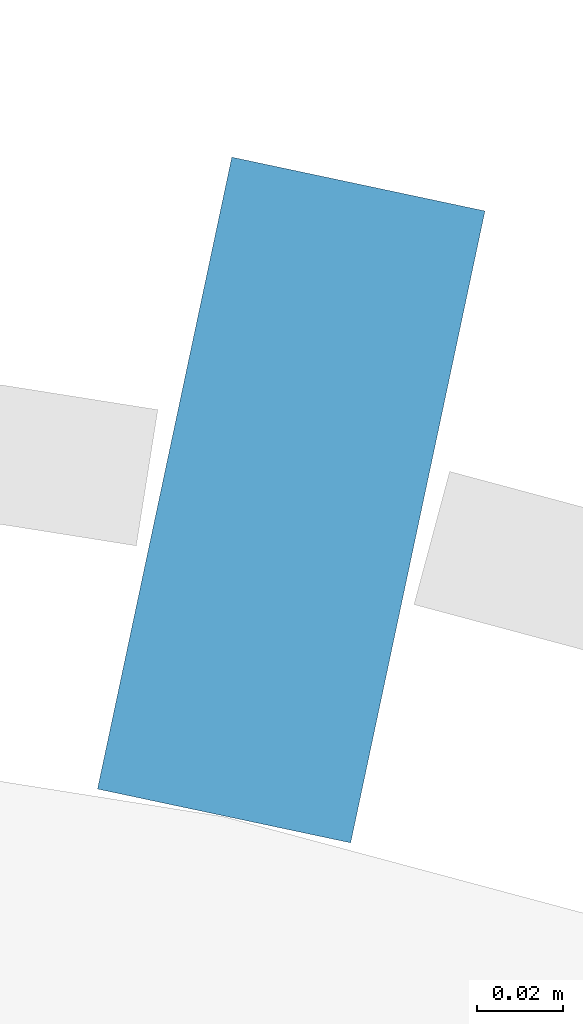
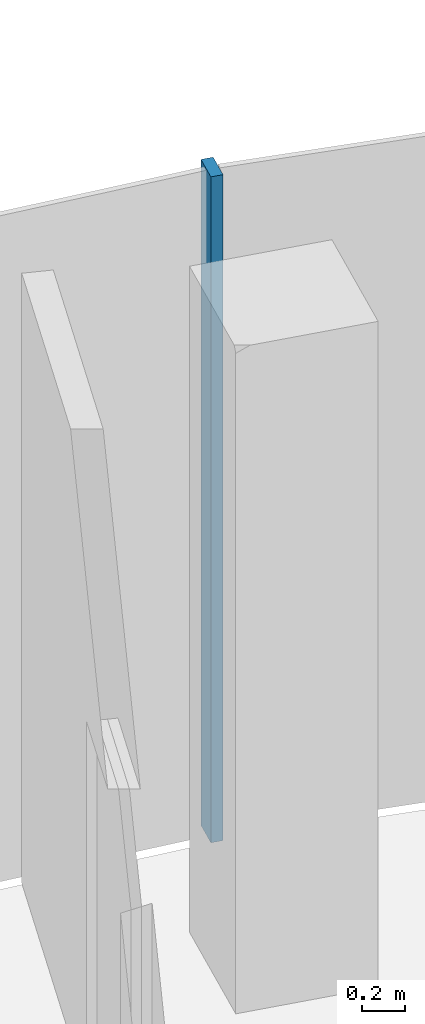
# One storey, part 7 of 18: 1 member, 1 element without a shape of its own.
"""IFC4 building model written with IfcOpenShell, lengths in metres."""

from ifc_helpers import new_model, si_unit, direction, frame, origin, origin_2d, place, context, subcontext, project, spatial, rectangle, extrude, material, layer, layer_set, material_profile, profile_set, type_object, element, aggregate, save


model = new_model("IFC4")

# Units and contexts
model_context = context("Model", 3, precision=1e-05, world=origin(), true_north=direction((0.0, 1.0)))
body_context = subcontext(model_context, "Body", "Model", "MODEL_VIEW")
ifc_project = project(units=[si_unit("LENGTHUNIT", "METRE"), si_unit("AREAUNIT", "SQUARE_METRE"), si_unit("VOLUMEUNIT", "CUBIC_METRE"), si_unit("PLANEANGLEUNIT", "RADIAN"), si_unit("MASSUNIT", "GRAM", prefix="KILO")], contexts=[model_context])

# Site, building, storey
site_placement = place(None, origin())
site = spatial("IfcSite", under=ifc_project, at=site_placement, CompositionType="ELEMENT")
building_placement = place(site_placement, origin())
building = spatial("IfcBuilding", under=site, at=building_placement, Name="Stone Belt Terrace Tower", CompositionType="ELEMENT")
storey_placement = place(building_placement, frame((0.0, 0.0, 299.800048828125)))
storey = spatial("IfcBuildingStorey", under=building, at=storey_placement, Name="L73", CompositionType="ELEMENT", Elevation=299.800048828125)

# Curtain wall, member
ifc_material = material(Name="Aluminium 6063-T6 anodised frame", Category="aluminium")
ifc_layer = layer(ifc_material, 0.14990234375)
ifc_layer_set = layer_set([ifc_layer], Name="CW-A unitised convex-face curtain wall")
curtain_wall_type = type_object("IfcCurtainWallType", Name="CW-A unitised convex-face curtain wall", PredefinedType="NOTDEFINED", material=ifc_layer_set)
curtain_wall_placement = place(storey_placement, origin())
curtain_wall = element("IfcCurtainWall", 1, at=curtain_wall_placement, inside=storey, type_object=curtain_wall_type, Name="CW-A convex face L73", PredefinedType="NOTDEFINED")
ifc_material_profile = material_profile(ifc_material, rectangle(XDim=0.14990234375, YDim=0.06005859375, at=origin_2d()), Name="Aluminium 6063-T6 60x150")
ifc_profile_set = profile_set([ifc_material_profile], Name="Aluminium 6063-T6 anodised frame")
member_type = type_object("IfcMemberType", Name="CW-A mullion 60 x 150", PredefinedType="MULLION", material=ifc_profile_set)
member_placement = place(storey_placement, frame((13.841796875, 65.120361328125, 0.0), z_axis=(0.0, 0.0, 1.0), x_axis=(-0.207911690818, -0.978147600734, 0.0)))
member = element("IfcMember", 2, at=member_placement, type_object=member_type, Name="CW-A mullion 6", PredefinedType="MULLION", context=body_context, shape_type="SweptSolid", body=[
    extrude(rectangle(XDim=0.14990234375, YDim=0.06005859375, at=origin_2d()), origin(), (0.0, 0.0, 1.0), 3.800048828125),
])
aggregate(curtain_wall, [member])

save(model, "model.ifc")
